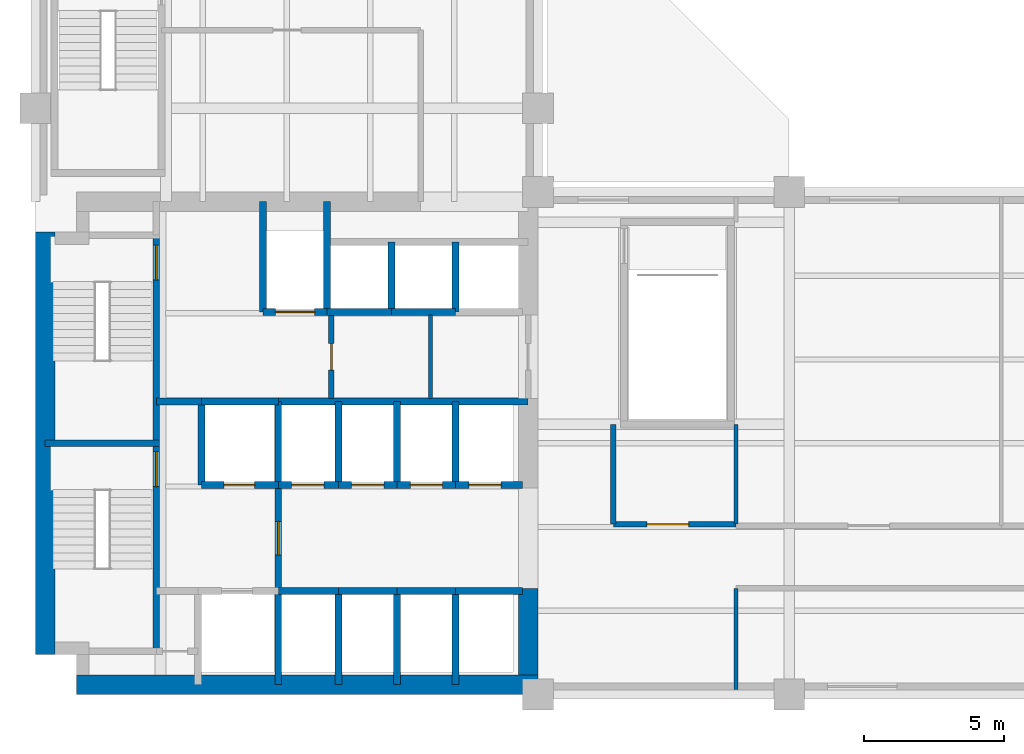
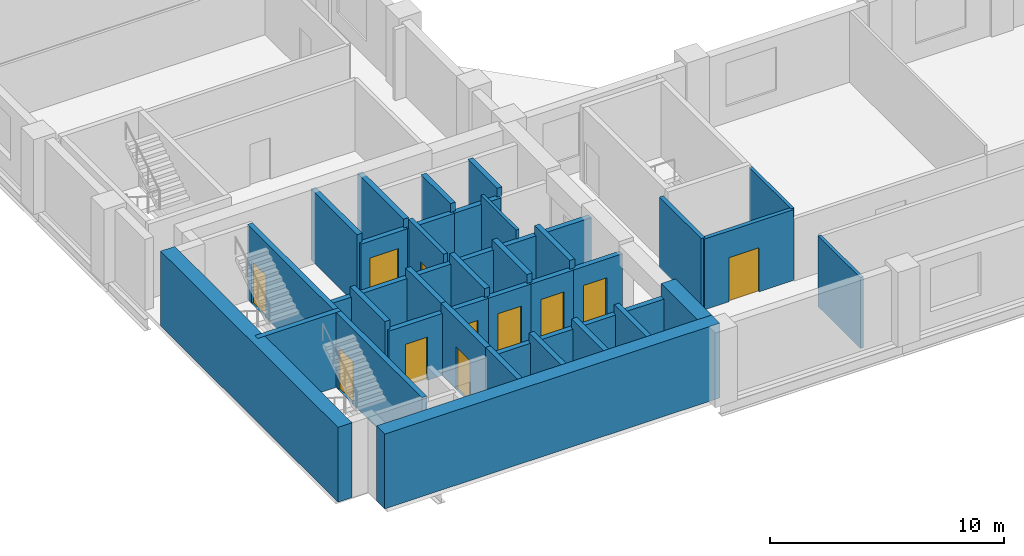
# One storey, part 3 of 7: 41 walls, 11 doors, 11 openings.
"""IFC4 building model written with IfcOpenShell, lengths in metres."""

from ifc_helpers import new_model, si_unit, direction, frame, frame_2d, origin, place, context, subcontext, project, spatial, rectangle, extrude, material, layer, layer_set, type_object, element, fill, save


model = new_model("IFC4")

# Units and contexts
model_context = context("Model", 3, precision=1e-05, world=origin(), true_north=direction((0.0, 1.0)))
body_context = subcontext(model_context, "Body", "Model", "MODEL_VIEW")
ifc_project = project(units=[si_unit("LENGTHUNIT", "METRE"), si_unit("AREAUNIT", "SQUARE_METRE"), si_unit("VOLUMEUNIT", "CUBIC_METRE"), si_unit("PLANEANGLEUNIT", "RADIAN"), si_unit("MASSUNIT", "GRAM", prefix="KILO")], contexts=[model_context])

# Site, building, storey
site_placement = place(None, origin())
site = spatial("IfcSite", under=ifc_project, at=site_placement, CompositionType="ELEMENT")
building_placement = place(site_placement, origin())
building = spatial("IfcBuilding", under=site, at=building_placement, Name="Mawjdan Bourse Tower", CompositionType="ELEMENT")
storey_placement = place(building_placement, frame((0.0, 0.0, 93.300048828125)))
storey = spatial("IfcBuildingStorey", under=building, at=storey_placement, Name="L21", CompositionType="ELEMENT", Elevation=93.300048828125)

# Wall, opening, door
ifc_material_1 = material(Name="Gypsum Fireboard Assembly")
ifc_layer_1 = layer(ifc_material_1, 0.199951171875)
ifc_layer_set_1 = layer_set([ifc_layer_1], Name="Gypsum Fireboard Assembly")
wall_type_1 = type_object("IfcWallType", Name="WL-CMP-200", PredefinedType="PARTITIONING", material=ifc_layer_set_1)
wall_1_placement = place(storey_placement, frame((16.60009765625, 13.60009765625, 0.0), z_axis=(0.0, 0.0, 1.0), x_axis=(0.0, 1.0, 0.0)))
wall_1 = element("IfcWall", 1, at=wall_1_placement, inside=storey, type_object=wall_type_1, Name="L21 Core Restroom West Wall", PredefinedType="PARTITIONING", context=body_context, shape_type="SweptSolid", body=[
    extrude(rectangle(XDim=3.0, YDim=0.199951171875, at=frame_2d((1.5, 0.0))), origin(), (0.0, 0.0, 1.0), 3.68994140625),
])
opening_1_placement = place(wall_1_placement, frame((1.02001953125, 0.0, 0.0)))
opening_1 = element("IfcOpeningElement", 2, at=opening_1_placement, cuts=wall_1, Name="Opening D-L21-14", PredefinedType="OPENING", context=body_context, shape_type="SweptSolid", body=[
    extrude(rectangle(XDim=0.949951171875, YDim=2.10009765625, at=frame_2d((0.47509765625, 1.050048828125))), frame((0.0, 0.10986328125, 0.0), z_axis=(0.0, -1.0, 0.0), x_axis=(1.0, 0.0, 0.0)), (0.0, 0.0, 1.0), 0.219970703125),
])
ifc_material_2 = material(Name="Moisture-Resistant Laminate Timber", Category="wood")
door_type_1 = type_object("IfcDoorType", Name="DR-WET-0950", OperationType="NOTDEFINED", PredefinedType="DOOR", material=ifc_material_2)
door_1_placement = place(opening_1_placement, origin())
door_1 = element("IfcDoor", 3, at=door_1_placement, inside=storey, type_object=door_type_1, Name="L21 Female Restroom Entry Door D-L21-14", OperationType="SINGLE_SWING_RIGHT", OverallHeight=2.10009765625, OverallWidth=0.949951171875, PredefinedType="DOOR", context=body_context, shape_type="SweptSolid", body=[
    extrude(rectangle(XDim=0.949951171875, YDim=2.10009765625, at=frame_2d((0.47509765625, 1.050048828125))), frame((0.0, 0.02490234375, 0.0), z_axis=(0.0, -1.0, 0.0), x_axis=(1.0, 0.0, 0.0)), (0.0, 0.0, 1.0), 0.050048828125),
])
fill(opening_1, door_1)

wall_2_placement = place(storey_placement, frame((26.699951171875, 9.10009765625, 0.0), z_axis=(0.0, 0.0, 1.0), x_axis=(1.0, 0.0, 0.0)))
wall_2 = element("IfcWall", 4, at=wall_2_placement, inside=storey, type_object=wall_type_1, Name="L21 Sky Lobby South Wall", PredefinedType="PARTITIONING", context=body_context, shape_type="SweptSolid", body=[
    extrude(rectangle(XDim=4.400146484375, YDim=0.199951171875, at=frame_2d((2.2001953125, 0.0))), origin(), (0.0, 0.0, 1.0), 3.68994140625),
])
opening_2_placement = place(wall_2_placement, frame((1.199951171875, 0.0, 0.0)))
opening_2 = element("IfcOpeningElement", 5, at=opening_2_placement, cuts=wall_2, Name="Opening D-L21-18", PredefinedType="OPENING", context=body_context, shape_type="SweptSolid", body=[
    extrude(rectangle(XDim=1.5, YDim=2.300048828125, at=frame_2d((0.75, 1.14990234375))), frame((0.0, 0.10986328125, 0.0), z_axis=(0.0, -1.0, 0.0), x_axis=(1.0, 0.0, 0.0)), (0.0, 0.0, 1.0), 0.219970703125),
])
ifc_material_3 = material(Name="Acoustic Glazed Timber", Category="wood")
door_type_2 = type_object("IfcDoorType", Name="DR-CNF-1500", OperationType="DOUBLE_DOOR_SINGLE_SWING", PredefinedType="DOOR", material=ifc_material_3)
door_2_placement = place(opening_2_placement, origin())
door_2 = element("IfcDoor", 6, at=door_2_placement, inside=storey, type_object=door_type_2, Name="L21 Sky Lobby Corridor Door D-L21-18", OperationType="DOUBLE_DOOR_SINGLE_SWING", OverallHeight=2.300048828125, OverallWidth=1.5, PredefinedType="DOOR", context=body_context, shape_type="SweptSolid", body=[
    extrude(rectangle(XDim=1.5, YDim=2.300048828125, at=frame_2d((0.75, 1.14990234375))), frame((0.0, 0.02490234375, 0.0), z_axis=(0.0, -1.0, 0.0), x_axis=(1.0, 0.0, 0.0)), (0.0, 0.0, 1.0), 0.050048828125),
])
fill(opening_2, door_2)

# Walls
wall_3_placement = place(storey_placement, frame((26.699951171875, 9.10009765625, 0.0), z_axis=(0.0, 0.0, 1.0), x_axis=(0.0, 1.0, 0.0)))
element("IfcWall", 7, at=wall_3_placement, inside=storey, type_object=wall_type_1, Name="L21 Sky Lobby West Wall", PredefinedType="PARTITIONING", context=body_context, shape_type="SweptSolid", body=[
    extrude(rectangle(XDim=3.579833984375, YDim=0.199951171875, at=frame_2d((1.7900390625, 0.0))), origin(), (0.0, 0.0, 1.0), 3.68994140625),
])
ifc_material_4 = material(Name="Concrete C70/85", Category="concrete")
ifc_layer_2 = layer(ifc_material_4, 0.699951171875)
ifc_layer_set_2 = layer_set([ifc_layer_2], Name="Concrete C70/85")
wall_type_2 = type_object("IfcWallType", Name="WL-CORE-700", PredefinedType="SHEAR", material=ifc_layer_set_2)
wall_4_placement = place(storey_placement, frame((7.47509765625, 3.35009765625, 0.0), z_axis=(0.0, 0.0, 1.0), x_axis=(1.0, 0.0, 0.0)))
element("IfcWall", 8, at=wall_4_placement, inside=storey, type_object=wall_type_2, Name="L21 Rear Core Shear Wall S", PredefinedType="SHEAR", context=body_context, shape_type="SweptSolid", body=[
    extrude(rectangle(XDim=16.52490234375, YDim=0.699951171875, at=frame_2d((8.262451171875, 0.0))), origin(), (0.0, 0.0, 1.0), 3.89990234375),
])
wall_5_placement = place(storey_placement, frame((6.35009765625, 4.425048828125, 0.0), z_axis=(0.0, 0.0, 1.0), x_axis=(0.0, 1.0, 0.0)))
element("IfcWall", 9, at=wall_5_placement, inside=storey, type_object=wall_type_2, Name="L21 Rear Core Shear Wall W", PredefinedType="SHEAR", context=body_context, shape_type="SweptSolid", body=[
    extrude(rectangle(XDim=15.14990234375, YDim=0.699951171875, at=frame_2d((7.574951171875, 0.0))), origin(), (0.0, 0.0, 1.0), 3.89990234375),
])
wall_6_placement = place(storey_placement, frame((23.64990234375, 3.699951171875, 0.0), z_axis=(0.0, 0.0, 1.0), x_axis=(0.0, 1.0, 0.0)))
element("IfcWall", 10, at=wall_6_placement, inside=storey, type_object=wall_type_2, Name="L21 Rear Core Shear Wall E1", PredefinedType="SHEAR", context=body_context, shape_type="SweptSolid", body=[
    extrude(rectangle(XDim=3.10009765625, YDim=0.699951171875, at=frame_2d((1.550048828125, 0.0))), origin(), (0.0, 0.0, 1.0), 3.89990234375),
])
ifc_material_5 = material(Name="Gypsum Acoustic Partition")
ifc_layer_3 = layer(ifc_material_5, 0.14990234375)
ifc_layer_set_3 = layer_set([ifc_layer_3], Name="Gypsum Acoustic Partition")
wall_type_3 = type_object("IfcWallType", Name="WL-PRT-150", PredefinedType="PARTITIONING", material=ifc_layer_set_3)
wall_7_placement = place(storey_placement, frame((20.14990234375, 13.60009765625, 0.0), z_axis=(0.0, 0.0, 1.0), x_axis=(0.0, 1.0, 0.0)))
element("IfcWall", 11, at=wall_7_placement, inside=storey, type_object=wall_type_3, Name="L21 Core Restroom Vertical Split", PredefinedType="PARTITIONING", context=body_context, shape_type="SweptSolid", body=[
    extrude(rectangle(XDim=3.0, YDim=0.14990234375, at=frame_2d((1.5, 0.0))), origin(), (0.0, 0.0, 1.0), 3.68994140625),
])
wall_8_placement = place(storey_placement, frame((31.10009765625, 9.10009765625, 0.0), z_axis=(0.0, 0.0, 1.0), x_axis=(0.0, 1.0, 0.0)))
element("IfcWall", 12, at=wall_8_placement, inside=storey, type_object=wall_type_3, Name="L21 Sky Lobby East Wall", PredefinedType="PARTITIONING", context=body_context, shape_type="SweptSolid", body=[
    extrude(rectangle(XDim=3.579833984375, YDim=0.14990234375, at=frame_2d((1.7900390625, 0.0))), origin(), (0.0, 0.0, 1.0), 3.68994140625),
])
wall_9_placement = place(storey_placement, frame((31.10009765625, 3.179931640625, 0.0), z_axis=(0.0, 0.0, 1.0), x_axis=(0.0, 1.0, 0.0)))
element("IfcWall", 13, at=wall_9_placement, inside=storey, type_object=wall_type_3, Name="L21 Sky Lobby ST5 South Return", PredefinedType="PARTITIONING", context=body_context, shape_type="SweptSolid", body=[
    extrude(rectangle(XDim=3.6201171875, YDim=0.14990234375, at=frame_2d((1.81005859375, 0.0))), origin(), (0.0, 0.0, 1.0), 3.68994140625),
])
ifc_material_6 = material(Name="Concrete C50/60", Category="concrete")
ifc_layer_4 = layer(ifc_material_6, 0.25)
ifc_layer_set_4 = layer_set([ifc_layer_4], Name="Concrete C50/60")
wall_type_4 = type_object("IfcWallType", Name="WL-SHFT-250", PredefinedType="PARTITIONING", material=ifc_layer_set_4)
wall_10_placement = place(storey_placement, frame((14.699951171875, 3.35009765625, 0.0), z_axis=(0.0, 0.0, 1.0), x_axis=(0.0, 1.0, 0.0)))
element("IfcWall", 14, at=wall_10_placement, inside=storey, type_object=wall_type_4, Name="L21 FFL-01 East Shaft Wall", PredefinedType="PARTITIONING", context=body_context, shape_type="SweptSolid", body=[
    extrude(rectangle(XDim=3.349853515625, YDim=0.25, at=frame_2d((1.6748046875, 0.0))), origin(), (0.0, 0.0, 1.0), 3.68994140625),
])

# Wall, opening, door
wall_11_placement = place(storey_placement, frame((11.949951171875, 10.5, 0.0), z_axis=(0.0, 0.0, 1.0), x_axis=(1.0, 0.0, 0.0)))
wall_11 = element("IfcWall", 15, at=wall_11_placement, inside=storey, type_object=wall_type_4, Name="L21 FFL-02 Front Shaft Wall", PredefinedType="PARTITIONING", context=body_context, shape_type="SweptSolid", body=[
    extrude(rectangle(XDim=2.75, YDim=0.25, at=frame_2d((1.375, 0.0))), origin(), (0.0, 0.0, 1.0), 3.22705078125),
])
opening_3_placement = place(wall_11_placement, frame((0.800048828125, 0.0, 0.0)))
opening_3 = element("IfcOpeningElement", 16, at=opening_3_placement, cuts=wall_11, Name="Opening LD-L21-06", PredefinedType="OPENING", context=body_context, shape_type="SweptSolid", body=[
    extrude(rectangle(XDim=1.10009765625, YDim=2.25, at=frame_2d((0.550048828125, 1.125))), frame((0.0, 0.135009765625, 0.0), z_axis=(0.0, -1.0, 0.0), x_axis=(1.0, 0.0, 0.0)), (0.0, 0.0, 1.0), 0.27001953125),
])
ifc_material_7 = material(Name="Brushed Stainless Steel", Category="steel")
door_type_3 = type_object("IfcDoorType", Name="LD-FFL-1100", OperationType="DOUBLE_DOOR_SLIDING", PredefinedType="DOOR", material=ifc_material_7)
door_3_placement = place(opening_3_placement, origin())
door_3 = element("IfcDoor", 17, at=door_3_placement, inside=storey, type_object=door_type_3, Name="L21 Firefighting Lift FFL-02 Landing Door LD-L21-06", OperationType="DOUBLE_DOOR_SLIDING", OverallHeight=2.25, OverallWidth=1.10009765625, PredefinedType="DOOR", context=body_context, shape_type="SweptSolid", body=[
    extrude(rectangle(XDim=1.10009765625, YDim=2.25, at=frame_2d((0.550048828125, 1.125))), frame((0.0, 0.02490234375, 0.0), z_axis=(0.0, -1.0, 0.0), x_axis=(1.0, 0.0, 0.0)), (0.0, 0.0, 1.0), 0.050048828125),
])
fill(opening_3, door_3)

# Walls
wall_12_placement = place(storey_placement, frame((11.949951171875, 10.5, 0.0), z_axis=(0.0, 0.0, 1.0), x_axis=(0.0, 1.0, 0.0)))
element("IfcWall", 18, at=wall_12_placement, inside=storey, type_object=wall_type_4, Name="L21 FFL-02 West Shaft Wall", PredefinedType="PARTITIONING", context=body_context, shape_type="SweptSolid", body=[
    extrude(rectangle(XDim=3.0, YDim=0.25, at=frame_2d((1.5, 0.0))), origin(), (0.0, 0.0, 1.0), 3.68994140625),
])
wall_13_placement = place(storey_placement, frame((11.949951171875, 13.5, 0.0), z_axis=(0.0, 0.0, 1.0), x_axis=(1.0, 0.0, 0.0)))
element("IfcWall", 19, at=wall_13_placement, inside=storey, type_object=wall_type_4, Name="L21 FFL-02 North Shaft Wall", PredefinedType="PARTITIONING", context=body_context, shape_type="SweptSolid", body=[
    extrude(rectangle(XDim=2.75, YDim=0.25, at=frame_2d((1.375, 0.0))), origin(), (0.0, 0.0, 1.0), 3.22705078125),
])
wall_14_placement = place(storey_placement, frame((14.699951171875, 10.5, 0.0), z_axis=(0.0, 0.0, 1.0), x_axis=(0.0, 1.0, 0.0)))
element("IfcWall", 20, at=wall_14_placement, inside=storey, type_object=wall_type_4, Name="L21 FFL-02 East Shaft Wall", PredefinedType="PARTITIONING", context=body_context, shape_type="SweptSolid", body=[
    extrude(rectangle(XDim=3.0, YDim=0.25, at=frame_2d((1.5, 0.0))), origin(), (0.0, 0.0, 1.0), 3.68994140625),
])

# Wall, opening, door
wall_15_placement = place(storey_placement, frame((14.699951171875, 6.699951171875, 0.0), z_axis=(0.0, 0.0, 1.0), x_axis=(0.0, 1.0, 0.0)))
wall_15 = element("IfcWall", 21, at=wall_15_placement, inside=storey, type_object=wall_type_4, Name="L21 Firefighting Lobby East Compartment Wall", PredefinedType="PARTITIONING", context=body_context, shape_type="SweptSolid", body=[
    extrude(rectangle(XDim=3.800048828125, YDim=0.25, at=frame_2d((1.89990234375, 0.0))), origin(), (0.0, 0.0, 1.0), 3.68994140625),
])
opening_4_placement = place(wall_15_placement, frame((1.300048828125, 0.0, 0.0)))
opening_4 = element("IfcOpeningElement", 22, at=opening_4_placement, cuts=wall_15, Name="Opening FD-L21-07", PredefinedType="OPENING", context=body_context, shape_type="SweptSolid", body=[
    extrude(rectangle(XDim=1.199951171875, YDim=2.199951171875, at=frame_2d((0.60009765625, 1.10009765625))), frame((0.0, 0.135009765625, 0.0), z_axis=(0.0, -1.0, 0.0), x_axis=(1.0, 0.0, 0.0)), (0.0, 0.0, 1.0), 0.27001953125),
])
ifc_material_8 = material(Name="Fire-Rated Steel Leaf", Category="steel")
door_type_4 = type_object("IfcDoorType", Name="FD-FFL-1200", OperationType="NOTDEFINED", PredefinedType="DOOR", material=ifc_material_8)
door_4_placement = place(opening_4_placement, origin())
door_4 = element("IfcDoor", 23, at=door_4_placement, inside=storey, type_object=door_type_4, Name="L21 Firefighting Lobby East Smoke Door FD-L21-07", OperationType="SINGLE_SWING_RIGHT", OverallHeight=2.199951171875, OverallWidth=1.199951171875, PredefinedType="DOOR", context=body_context, shape_type="SweptSolid", body=[
    extrude(rectangle(XDim=1.199951171875, YDim=2.199951171875, at=frame_2d((0.60009765625, 1.10009765625))), frame((0.0, 0.02490234375, 0.0), z_axis=(0.0, -1.0, 0.0), x_axis=(1.0, 0.0, 0.0)), (0.0, 0.0, 1.0), 0.050048828125),
])
fill(opening_4, door_4)

# Wall
wall_16_placement = place(storey_placement, frame((10.330078125, 13.5, 0.0), z_axis=(0.0, 0.0, 1.0), x_axis=(1.0, 0.0, 0.0)))
element("IfcWall", 24, at=wall_16_placement, inside=storey, type_object=wall_type_4, Name="L21 Firefighting Lobby North Compartment Wall", PredefinedType="PARTITIONING", context=body_context, shape_type="SweptSolid", body=[
    extrude(rectangle(XDim=1.619873046875, YDim=0.25, at=frame_2d((0.81005859375, 0.0))), origin(), (0.0, 0.0, 1.0), 3.22705078125),
])

# Wall, opening, door
wall_17_placement = place(storey_placement, frame((14.14990234375, 16.699951171875, 0.0), z_axis=(0.0, 0.0, 1.0), x_axis=(1.0, 0.0, 0.0)))
wall_17 = element("IfcWall", 25, at=wall_17_placement, inside=storey, type_object=wall_type_4, Name="L21 SVL-01 Front Shaft Wall", PredefinedType="PARTITIONING", context=body_context, shape_type="SweptSolid", body=[
    extrude(rectangle(XDim=2.300048828125, YDim=0.25, at=frame_2d((1.14990234375, 0.0))), origin(), (0.0, 0.0, 1.0), 3.22705078125),
])
opening_5_placement = place(wall_17_placement, frame((0.449951171875, 0.0, 0.0)))
opening_5 = element("IfcOpeningElement", 26, at=opening_5_placement, cuts=wall_17, Name="Opening LD-L21-09", PredefinedType="OPENING", context=body_context, shape_type="SweptSolid", body=[
    extrude(rectangle(XDim=1.39990234375, YDim=2.35009765625, at=frame_2d((0.699951171875, 1.175048828125))), frame((0.0, 0.135009765625, 0.0), z_axis=(0.0, -1.0, 0.0), x_axis=(1.0, 0.0, 0.0)), (0.0, 0.0, 1.0), 0.27001953125),
])
ifc_material_9 = material(Name="Heavy-Duty Stainless Steel", Category="steel")
door_type_5 = type_object("IfcDoorType", Name="LD-SRV-1400", OperationType="DOUBLE_DOOR_SLIDING", PredefinedType="DOOR", material=ifc_material_9)
door_5_placement = place(opening_5_placement, origin())
door_5 = element("IfcDoor", 27, at=door_5_placement, inside=storey, type_object=door_type_5, Name="L21 Service Lift SVL-01 Landing Door LD-L21-09", OperationType="DOUBLE_DOOR_SLIDING", OverallHeight=2.35009765625, OverallWidth=1.39990234375, PredefinedType="DOOR", context=body_context, shape_type="SweptSolid", body=[
    extrude(rectangle(XDim=1.39990234375, YDim=2.35009765625, at=frame_2d((0.699951171875, 1.175048828125))), frame((0.0, 0.02490234375, 0.0), z_axis=(0.0, -1.0, 0.0), x_axis=(1.0, 0.0, 0.0)), (0.0, 0.0, 1.0), 0.050048828125),
])
fill(opening_5, door_5)

# Walls
for number, where, z_axis, x_axis, name in (
    (28, (14.14990234375, 16.699951171875, 0.0), (0.0, 0.0, 1.0), (0.0, 1.0, 0.0), "L21 SVL-01 West Shaft Wall"),
    (29, (16.449951171875, 16.699951171875, 0.0), (0.0, 0.0, 1.0), (0.0, 1.0, 0.0), "L21 SVL-01 East Shaft Wall"),
):
    element("IfcWall", number, at=place(storey_placement, frame(where, z_axis=z_axis, x_axis=x_axis)), inside=storey, type_object=wall_type_4, Name=name, PredefinedType="PARTITIONING", context=body_context, shape_type="SweptSolid", body=[
        extrude(rectangle(XDim=3.949951171875, YDim=0.25, at=frame_2d((1.97509765625, 0.0))), origin(), (0.0, 0.0, 1.0), 3.68994140625),
    ])
wall_18_placement = place(storey_placement, frame((16.449951171875, 16.699951171875, 0.0), z_axis=(0.0, 0.0, 1.0), x_axis=(1.0, 0.0, 0.0)))
element("IfcWall", 30, at=wall_18_placement, inside=storey, type_object=wall_type_4, Name="L21 PH-01 Front Wall", PredefinedType="PARTITIONING", context=body_context, shape_type="SweptSolid", body=[
    extrude(rectangle(XDim=2.300048828125, YDim=0.25, at=frame_2d((1.14990234375, 0.0))), origin(), (0.0, 0.0, 1.0), 3.22705078125),
])
wall_19_placement = place(storey_placement, frame((18.75, 16.699951171875, 0.0), z_axis=(0.0, 0.0, 1.0), x_axis=(0.0, 1.0, 0.0)))
element("IfcWall", 31, at=wall_19_placement, inside=storey, type_object=wall_type_4, Name="L21 PH-01 Divider Wall", PredefinedType="PARTITIONING", context=body_context, shape_type="SweptSolid", body=[
    extrude(rectangle(XDim=2.5, YDim=0.25, at=frame_2d((1.25, 0.0))), origin(), (0.0, 0.0, 1.0), 3.68994140625),
])
wall_20_placement = place(storey_placement, frame((18.75, 16.699951171875, 0.0), z_axis=(0.0, 0.0, 1.0), x_axis=(1.0, 0.0, 0.0)))
element("IfcWall", 32, at=wall_20_placement, inside=storey, type_object=wall_type_4, Name="L21 PH-02 Front Wall", PredefinedType="PARTITIONING", context=body_context, shape_type="SweptSolid", body=[
    extrude(rectangle(XDim=2.300048828125, YDim=0.25, at=frame_2d((1.14990234375, 0.0))), origin(), (0.0, 0.0, 1.0), 3.22705078125),
])
wall_21_placement = place(storey_placement, frame((21.050048828125, 16.699951171875, 0.0), z_axis=(0.0, 0.0, 1.0), x_axis=(0.0, 1.0, 0.0)))
element("IfcWall", 33, at=wall_21_placement, inside=storey, type_object=wall_type_4, Name="L21 PH-02 Divider Wall", PredefinedType="PARTITIONING", context=body_context, shape_type="SweptSolid", body=[
    extrude(rectangle(XDim=2.5, YDim=0.25, at=frame_2d((1.25, 0.0))), origin(), (0.0, 0.0, 1.0), 3.68994140625),
])
wall_22_placement = place(storey_placement, frame((14.699951171875, 6.699951171875, 0.0), z_axis=(0.0, 0.0, 1.0), x_axis=(1.0, 0.0, 0.0)))
element("IfcWall", 34, at=wall_22_placement, inside=storey, type_object=wall_type_4, Name="L21 PL-04 Front Wall", PredefinedType="PARTITIONING", context=body_context, shape_type="SweptSolid", body=[
    extrude(rectangle(XDim=2.150146484375, YDim=0.25, at=frame_2d((1.0751953125, 0.0))), origin(), (0.0, 0.0, 1.0), 3.22705078125),
])
wall_23_placement = place(storey_placement, frame((16.85009765625, 3.35009765625, 0.0), z_axis=(0.0, 0.0, 1.0), x_axis=(0.0, 1.0, 0.0)))
element("IfcWall", 35, at=wall_23_placement, inside=storey, type_object=wall_type_4, Name="L21 PL-04 Divider Wall", PredefinedType="PARTITIONING", context=body_context, shape_type="SweptSolid", body=[
    extrude(rectangle(XDim=3.349853515625, YDim=0.25, at=frame_2d((1.6748046875, 0.0))), origin(), (0.0, 0.0, 1.0), 3.68994140625),
])
wall_24_placement = place(storey_placement, frame((16.85009765625, 6.699951171875, 0.0), z_axis=(0.0, 0.0, 1.0), x_axis=(1.0, 0.0, 0.0)))
element("IfcWall", 36, at=wall_24_placement, inside=storey, type_object=wall_type_4, Name="L21 PL-01 Front Wall", PredefinedType="PARTITIONING", context=body_context, shape_type="SweptSolid", body=[
    extrude(rectangle(XDim=2.099853515625, YDim=0.25, at=frame_2d((1.0498046875, 0.0))), origin(), (0.0, 0.0, 1.0), 3.22705078125),
])
wall_25_placement = place(storey_placement, frame((18.949951171875, 3.35009765625, 0.0), z_axis=(0.0, 0.0, 1.0), x_axis=(0.0, 1.0, 0.0)))
element("IfcWall", 37, at=wall_25_placement, inside=storey, type_object=wall_type_4, Name="L21 PL-01 Divider Wall", PredefinedType="PARTITIONING", context=body_context, shape_type="SweptSolid", body=[
    extrude(rectangle(XDim=3.349853515625, YDim=0.25, at=frame_2d((1.6748046875, 0.0))), origin(), (0.0, 0.0, 1.0), 3.68994140625),
])
wall_26_placement = place(storey_placement, frame((18.949951171875, 6.699951171875, 0.0), z_axis=(0.0, 0.0, 1.0), x_axis=(1.0, 0.0, 0.0)))
element("IfcWall", 38, at=wall_26_placement, inside=storey, type_object=wall_type_4, Name="L21 PL-02 Front Wall", PredefinedType="PARTITIONING", context=body_context, shape_type="SweptSolid", body=[
    extrude(rectangle(XDim=2.10009765625, YDim=0.25, at=frame_2d((1.050048828125, 0.0))), origin(), (0.0, 0.0, 1.0), 3.22705078125),
])
wall_27_placement = place(storey_placement, frame((21.050048828125, 3.35009765625, 0.0), z_axis=(0.0, 0.0, 1.0), x_axis=(0.0, 1.0, 0.0)))
element("IfcWall", 39, at=wall_27_placement, inside=storey, type_object=wall_type_4, Name="L21 PL-02 Divider Wall", PredefinedType="PARTITIONING", context=body_context, shape_type="SweptSolid", body=[
    extrude(rectangle(XDim=3.349853515625, YDim=0.25, at=frame_2d((1.6748046875, 0.0))), origin(), (0.0, 0.0, 1.0), 3.68994140625),
])
wall_28_placement = place(storey_placement, frame((21.050048828125, 6.699951171875, 0.0), z_axis=(0.0, 0.0, 1.0), x_axis=(1.0, 0.0, 0.0)))
element("IfcWall", 40, at=wall_28_placement, inside=storey, type_object=wall_type_4, Name="L21 PL-03 Front Wall", PredefinedType="PARTITIONING", context=body_context, shape_type="SweptSolid", body=[
    extrude(rectangle(XDim=2.39990234375, YDim=0.25, at=frame_2d((1.199951171875, 0.0))), origin(), (0.0, 0.0, 1.0), 3.22705078125),
])

# Wall, opening, door
wall_29_placement = place(storey_placement, frame((14.699951171875, 10.5, 0.0), z_axis=(0.0, 0.0, 1.0), x_axis=(1.0, 0.0, 0.0)))
wall_29 = element("IfcWall", 41, at=wall_29_placement, inside=storey, type_object=wall_type_4, Name="L21 PM-01 Front Wall", PredefinedType="PARTITIONING", context=body_context, shape_type="SweptSolid", body=[
    extrude(rectangle(XDim=2.150146484375, YDim=0.25, at=frame_2d((1.0751953125, 0.0))), origin(), (0.0, 0.0, 1.0), 3.22705078125),
])
opening_6_placement = place(wall_29_placement, frame((0.47998046875, 0.0, 0.0)))
opening_6 = element("IfcOpeningElement", 42, at=opening_6_placement, cuts=wall_29, Name="Opening LD-L21-10", PredefinedType="OPENING", context=body_context, shape_type="SweptSolid", body=[
    extrude(rectangle(XDim=1.14990234375, YDim=2.25, at=frame_2d((0.574951171875, 1.125))), frame((0.0, 0.135009765625, 0.0), z_axis=(0.0, -1.0, 0.0), x_axis=(1.0, 0.0, 0.0)), (0.0, 0.0, 1.0), 0.27001953125),
])
door_type_6 = type_object("IfcDoorType", Name="LD-PAS-1150", OperationType="DOUBLE_DOOR_SLIDING", PredefinedType="DOOR", material=ifc_material_7)
door_6_placement = place(opening_6_placement, origin())
door_6 = element("IfcDoor", 43, at=door_6_placement, inside=storey, type_object=door_type_6, Name="L21 Lift PM-01 Landing Door LD-L21-10", OperationType="DOUBLE_DOOR_SLIDING", OverallHeight=2.25, OverallWidth=1.14990234375, PredefinedType="DOOR", context=body_context, shape_type="SweptSolid", body=[
    extrude(rectangle(XDim=1.14990234375, YDim=2.25, at=frame_2d((0.574951171875, 1.125))), frame((0.0, 0.02490234375, 0.0), z_axis=(0.0, -1.0, 0.0), x_axis=(1.0, 0.0, 0.0)), (0.0, 0.0, 1.0), 0.050048828125),
])
fill(opening_6, door_6)

# Wall
wall_30_placement = place(storey_placement, frame((16.85009765625, 10.5, 0.0), z_axis=(0.0, 0.0, 1.0), x_axis=(0.0, 1.0, 0.0)))
element("IfcWall", 44, at=wall_30_placement, inside=storey, type_object=wall_type_4, Name="L21 PM-01 Divider Wall", PredefinedType="PARTITIONING", context=body_context, shape_type="SweptSolid", body=[
    extrude(rectangle(XDim=3.0, YDim=0.25, at=frame_2d((1.5, 0.0))), origin(), (0.0, 0.0, 1.0), 3.68994140625),
])

# Wall, opening, door
wall_31_placement = place(storey_placement, frame((16.85009765625, 10.5, 0.0), z_axis=(0.0, 0.0, 1.0), x_axis=(1.0, 0.0, 0.0)))
wall_31 = element("IfcWall", 45, at=wall_31_placement, inside=storey, type_object=wall_type_4, Name="L21 PM-02 Front Wall", PredefinedType="PARTITIONING", context=body_context, shape_type="SweptSolid", body=[
    extrude(rectangle(XDim=2.099853515625, YDim=0.25, at=frame_2d((1.0498046875, 0.0))), origin(), (0.0, 0.0, 1.0), 3.22705078125),
])
opening_7_placement = place(wall_31_placement, frame((0.47998046875, 0.0, 0.0)))
opening_7 = element("IfcOpeningElement", 46, at=opening_7_placement, cuts=wall_31, Name="Opening LD-L21-11", PredefinedType="OPENING", context=body_context, shape_type="SweptSolid", body=[
    extrude(rectangle(XDim=1.14990234375, YDim=2.25, at=frame_2d((0.574951171875, 1.125))), frame((0.0, 0.135009765625, 0.0), z_axis=(0.0, -1.0, 0.0), x_axis=(1.0, 0.0, 0.0)), (0.0, 0.0, 1.0), 0.27001953125),
])
door_7_placement = place(opening_7_placement, origin())
door_7 = element("IfcDoor", 47, at=door_7_placement, inside=storey, type_object=door_type_6, Name="L21 Lift PM-02 Landing Door LD-L21-11", OperationType="DOUBLE_DOOR_SLIDING", OverallHeight=2.25, OverallWidth=1.14990234375, PredefinedType="DOOR", context=body_context, shape_type="SweptSolid", body=[
    extrude(rectangle(XDim=1.14990234375, YDim=2.25, at=frame_2d((0.574951171875, 1.125))), frame((0.0, 0.02490234375, 0.0), z_axis=(0.0, -1.0, 0.0), x_axis=(1.0, 0.0, 0.0)), (0.0, 0.0, 1.0), 0.050048828125),
])
fill(opening_7, door_7)

# Wall
wall_32_placement = place(storey_placement, frame((18.949951171875, 10.5, 0.0), z_axis=(0.0, 0.0, 1.0), x_axis=(0.0, 1.0, 0.0)))
element("IfcWall", 48, at=wall_32_placement, inside=storey, type_object=wall_type_4, Name="L21 PM-02 Divider Wall", PredefinedType="PARTITIONING", context=body_context, shape_type="SweptSolid", body=[
    extrude(rectangle(XDim=3.0, YDim=0.25, at=frame_2d((1.5, 0.0))), origin(), (0.0, 0.0, 1.0), 3.68994140625),
])

# Wall, opening, door
wall_33_placement = place(storey_placement, frame((18.949951171875, 10.5, 0.0), z_axis=(0.0, 0.0, 1.0), x_axis=(1.0, 0.0, 0.0)))
wall_33 = element("IfcWall", 49, at=wall_33_placement, inside=storey, type_object=wall_type_4, Name="L21 PM-03 Front Wall", PredefinedType="PARTITIONING", context=body_context, shape_type="SweptSolid", body=[
    extrude(rectangle(XDim=2.10009765625, YDim=0.25, at=frame_2d((1.050048828125, 0.0))), origin(), (0.0, 0.0, 1.0), 3.22705078125),
])
opening_8_placement = place(wall_33_placement, frame((0.47998046875, 0.0, 0.0)))
opening_8 = element("IfcOpeningElement", 50, at=opening_8_placement, cuts=wall_33, Name="Opening LD-L21-12", PredefinedType="OPENING", context=body_context, shape_type="SweptSolid", body=[
    extrude(rectangle(XDim=1.14990234375, YDim=2.25, at=frame_2d((0.574951171875, 1.125))), frame((0.0, 0.135009765625, 0.0), z_axis=(0.0, -1.0, 0.0), x_axis=(1.0, 0.0, 0.0)), (0.0, 0.0, 1.0), 0.27001953125),
])
door_8_placement = place(opening_8_placement, origin())
door_8 = element("IfcDoor", 51, at=door_8_placement, inside=storey, type_object=door_type_6, Name="L21 Lift PM-03 Landing Door LD-L21-12", OperationType="DOUBLE_DOOR_SLIDING", OverallHeight=2.25, OverallWidth=1.14990234375, PredefinedType="DOOR", context=body_context, shape_type="SweptSolid", body=[
    extrude(rectangle(XDim=1.14990234375, YDim=2.25, at=frame_2d((0.574951171875, 1.125))), frame((0.0, 0.02490234375, 0.0), z_axis=(0.0, -1.0, 0.0), x_axis=(1.0, 0.0, 0.0)), (0.0, 0.0, 1.0), 0.050048828125),
])
fill(opening_8, door_8)

# Wall
wall_34_placement = place(storey_placement, frame((21.050048828125, 10.5, 0.0), z_axis=(0.0, 0.0, 1.0), x_axis=(0.0, 1.0, 0.0)))
element("IfcWall", 52, at=wall_34_placement, inside=storey, type_object=wall_type_4, Name="L21 PM-03 Divider Wall", PredefinedType="PARTITIONING", context=body_context, shape_type="SweptSolid", body=[
    extrude(rectangle(XDim=3.0, YDim=0.25, at=frame_2d((1.5, 0.0))), origin(), (0.0, 0.0, 1.0), 3.68994140625),
])

# Wall, opening, door
wall_35_placement = place(storey_placement, frame((21.050048828125, 10.5, 0.0), z_axis=(0.0, 0.0, 1.0), x_axis=(1.0, 0.0, 0.0)))
wall_35 = element("IfcWall", 53, at=wall_35_placement, inside=storey, type_object=wall_type_4, Name="L21 PM-04 Front Wall", PredefinedType="PARTITIONING", context=body_context, shape_type="SweptSolid", body=[
    extrude(rectangle(XDim=2.39990234375, YDim=0.25, at=frame_2d((1.199951171875, 0.0))), origin(), (0.0, 0.0, 1.0), 3.22705078125),
])
opening_9_placement = place(wall_35_placement, frame((0.47998046875, 0.0, 0.0)))
opening_9 = element("IfcOpeningElement", 54, at=opening_9_placement, cuts=wall_35, Name="Opening LD-L21-13", PredefinedType="OPENING", context=body_context, shape_type="SweptSolid", body=[
    extrude(rectangle(XDim=1.14990234375, YDim=2.25, at=frame_2d((0.574951171875, 1.125))), frame((0.0, 0.135009765625, 0.0), z_axis=(0.0, -1.0, 0.0), x_axis=(1.0, 0.0, 0.0)), (0.0, 0.0, 1.0), 0.27001953125),
])
door_9_placement = place(opening_9_placement, origin())
door_9 = element("IfcDoor", 55, at=door_9_placement, inside=storey, type_object=door_type_6, Name="L21 Lift PM-04 Landing Door LD-L21-13", OperationType="DOUBLE_DOOR_SLIDING", OverallHeight=2.25, OverallWidth=1.14990234375, PredefinedType="DOOR", context=body_context, shape_type="SweptSolid", body=[
    extrude(rectangle(XDim=1.14990234375, YDim=2.25, at=frame_2d((0.574951171875, 1.125))), frame((0.0, 0.02490234375, 0.0), z_axis=(0.0, -1.0, 0.0), x_axis=(1.0, 0.0, 0.0)), (0.0, 0.0, 1.0), 0.050048828125),
])
fill(opening_9, door_9)

# Walls
wall_36_placement = place(storey_placement, frame((14.699951171875, 13.5, 0.0), z_axis=(0.0, 0.0, 1.0), x_axis=(1.0, 0.0, 0.0)))
element("IfcWall", 56, at=wall_36_placement, inside=storey, type_object=wall_type_4, Name="L21 PM Bank North Shaft Back Wall", PredefinedType="PARTITIONING", context=body_context, shape_type="SweptSolid", body=[
    extrude(rectangle(XDim=8.949951171875, YDim=0.25, at=frame_2d((4.47509765625, 0.0))), origin(), (0.0, 0.0, 1.0), 3.22705078125),
])
ifc_layer_5 = layer(ifc_material_6, 0.25)
ifc_layer_set_5 = layer_set([ifc_layer_5], Name="Concrete C50/60")
wall_type_5 = type_object("IfcWallType", Name="WL-STRW-250", PredefinedType="SHEAR", material=ifc_layer_set_5)
wall_37_placement = place(storey_placement, frame((6.35009765625, 12.0, 0.0), z_axis=(0.0, 0.0, 1.0), x_axis=(1.0, 0.0, 0.0)))
element("IfcWall", 57, at=wall_37_placement, inside=storey, type_object=wall_type_5, Name="L21 Stairwell Dividing Shaft Wall", PredefinedType="SHEAR", context=body_context, shape_type="SweptSolid", body=[
    extrude(rectangle(XDim=4.10498046875, YDim=0.25, at=frame_2d((2.052490234375, 0.0))), origin(), (0.0, 0.0, 1.0), 3.89990234375),
])

# Wall, opening, door
wall_38_placement = place(storey_placement, frame((10.330078125, 4.550048828125, 0.0), z_axis=(0.0, 0.0, 1.0), x_axis=(0.0, 1.0, 0.0)))
wall_38 = element("IfcWall", 58, at=wall_38_placement, inside=storey, type_object=wall_type_5, Name="L21 Stairwell ST1 East Enclosure Wall", PredefinedType="SHEAR", context=body_context, shape_type="SweptSolid", body=[
    extrude(rectangle(XDim=7.449951171875, YDim=0.25, at=frame_2d((3.72509765625, 0.0))), origin(), (0.0, 0.0, 1.0), 3.89990234375),
])
opening_10_placement = place(wall_38_placement, frame((5.89990234375, 0.0, 0.0)))
opening_10 = element("IfcOpeningElement", 59, at=opening_10_placement, cuts=wall_38, Name="Opening SD-L21-01", PredefinedType="OPENING", context=body_context, shape_type="SweptSolid", body=[
    extrude(rectangle(XDim=1.25, YDim=2.199951171875, at=frame_2d((0.625, 1.10009765625))), frame((0.0, 0.135009765625, 0.0), z_axis=(0.0, -1.0, 0.0), x_axis=(1.0, 0.0, 0.0)), (0.0, 0.0, 1.0), 0.27001953125),
])
door_type_7 = type_object("IfcDoorType", Name="FD-ST-1250", OperationType="NOTDEFINED", PredefinedType="DOOR", material=ifc_material_8)
door_10_placement = place(opening_10_placement, origin())
door_10 = element("IfcDoor", 60, at=door_10_placement, inside=storey, type_object=door_type_7, Name="L21 Exit Stair ST1 Fire Door SD-L21-01", OperationType="SINGLE_SWING_RIGHT", OverallHeight=2.199951171875, OverallWidth=1.25, PredefinedType="DOOR", context=body_context, shape_type="SweptSolid", body=[
    extrude(rectangle(XDim=1.25, YDim=2.199951171875, at=frame_2d((0.625, 1.10009765625))), frame((0.0, 0.02490234375, 0.0), z_axis=(0.0, -1.0, 0.0), x_axis=(1.0, 0.0, 0.0)), (0.0, 0.0, 1.0), 0.050048828125),
])
fill(opening_10, door_10)

wall_39_placement = place(storey_placement, frame((10.330078125, 12.0, 0.0), z_axis=(0.0, 0.0, 1.0), x_axis=(0.0, 1.0, 0.0)))
wall_39 = element("IfcWall", 61, at=wall_39_placement, inside=storey, type_object=wall_type_5, Name="L21 Stairwell ST2 East Enclosure Wall", PredefinedType="SHEAR", context=body_context, shape_type="SweptSolid", body=[
    extrude(rectangle(XDim=7.449951171875, YDim=0.25, at=frame_2d((3.72509765625, 0.0))), origin(), (0.0, 0.0, 1.0), 3.89990234375),
])
opening_11_placement = place(wall_39_placement, frame((5.85009765625, 0.0, 0.0)))
opening_11 = element("IfcOpeningElement", 62, at=opening_11_placement, cuts=wall_39, Name="Opening SD-L21-02", PredefinedType="OPENING", context=body_context, shape_type="SweptSolid", body=[
    extrude(rectangle(XDim=1.25, YDim=2.199951171875, at=frame_2d((0.625, 1.10009765625))), frame((0.0, 0.135009765625, 0.0), z_axis=(0.0, -1.0, 0.0), x_axis=(1.0, 0.0, 0.0)), (0.0, 0.0, 1.0), 0.27001953125),
])
door_11_placement = place(opening_11_placement, origin())
door_11 = element("IfcDoor", 63, at=door_11_placement, inside=storey, type_object=door_type_7, Name="L21 Exit Stair ST2 Fire Door SD-L21-02", OperationType="SINGLE_SWING_LEFT", OverallHeight=2.199951171875, OverallWidth=1.25, PredefinedType="DOOR", context=body_context, shape_type="SweptSolid", body=[
    extrude(rectangle(XDim=1.25, YDim=2.199951171875, at=frame_2d((0.625, 1.10009765625))), frame((0.0, 0.02490234375, 0.0), z_axis=(0.0, -1.0, 0.0), x_axis=(1.0, 0.0, 0.0)), (0.0, 0.0, 1.0), 0.050048828125),
])
fill(opening_11, door_11)

save(model, "model.ifc")
